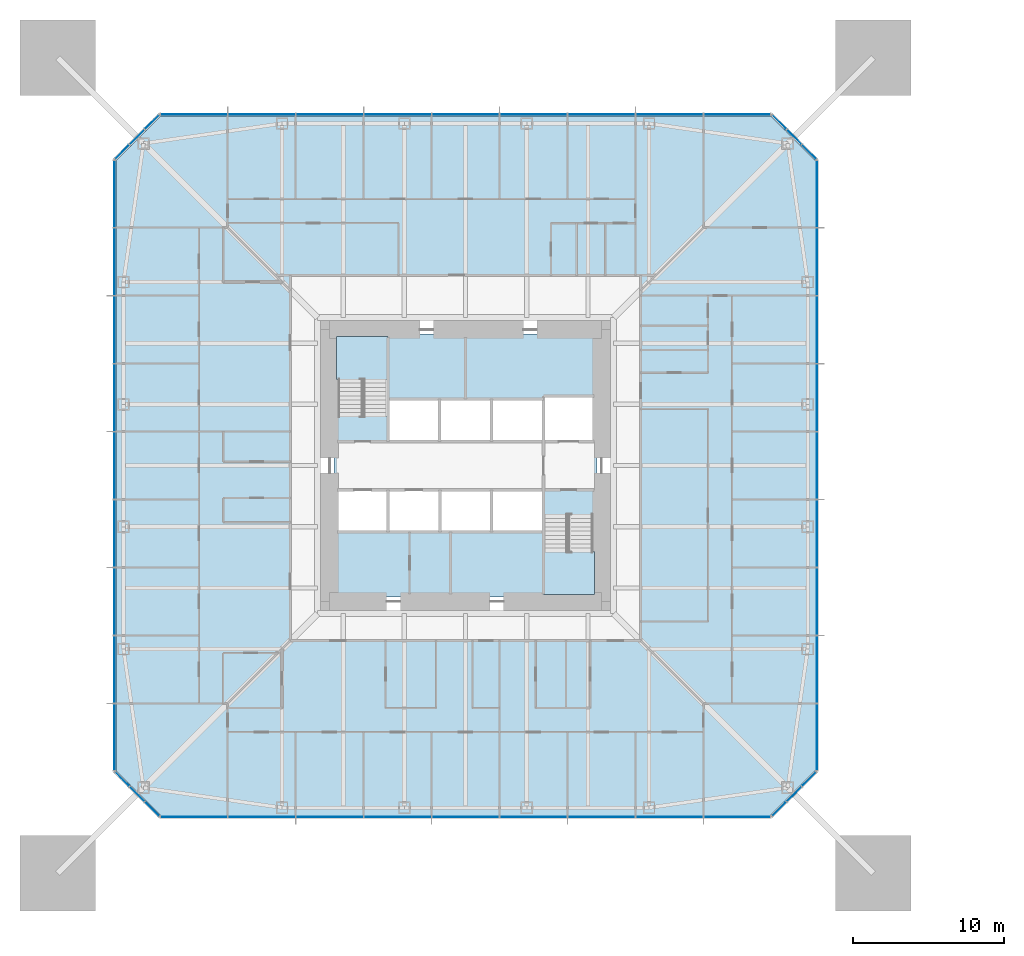
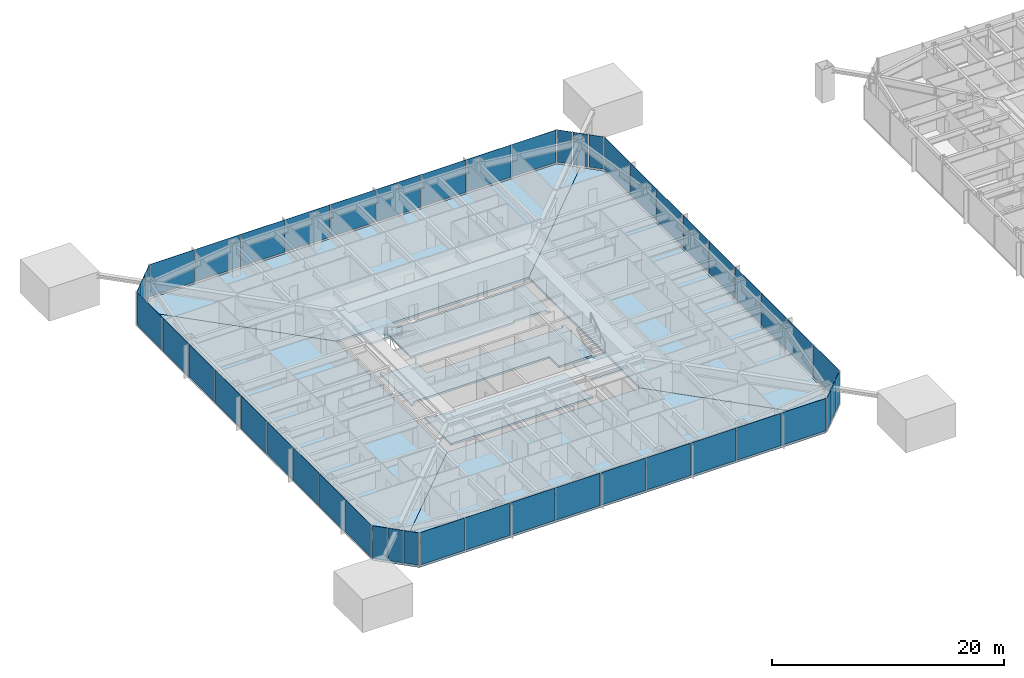
# One storey, part 12 of 26: 48 plates, 9 slabs, 10 elements without a shape of their own.
"""IFC4 building model written with IfcOpenShell, lengths in metres."""

from ifc_helpers import new_model, si_unit, direction, frame, origin, origin_2d, place, context, subcontext, project, spatial, polyline, rectangle, outline, extrude, material, layer, layer_set, constituent, constituent_set, type_object, element, aggregate, save


model = new_model("IFC4")

# Units and contexts
model_context = context("Model", 3, precision=1e-05, world=origin(), true_north=direction((0.0, 1.0)))
body_context = subcontext(model_context, "Body", "Model", "MODEL_VIEW")
ifc_project = project(units=[si_unit("LENGTHUNIT", "METRE"), si_unit("AREAUNIT", "SQUARE_METRE"), si_unit("VOLUMEUNIT", "CUBIC_METRE"), si_unit("PLANEANGLEUNIT", "RADIAN"), si_unit("MASSUNIT", "GRAM", prefix="KILO")], contexts=[model_context])

# Site, building, storey
site_placement = place(None, origin())
site = spatial("IfcSite", under=ifc_project, at=site_placement, CompositionType="ELEMENT")
building_placement = place(site_placement, origin())
building = spatial("IfcBuilding", under=site, at=building_placement, Name="Iwan Alto Co-Living Towers", CompositionType="ELEMENT")
storey_placement = place(building_placement, frame((0.0, 0.0, 60.5)))
storey = spatial("IfcBuildingStorey", under=building, at=storey_placement, Name="L16", CompositionType="ELEMENT", Elevation=60.5)

# Slabs
ifc_material_1 = material(Name="Concrete f'c 30 MPa", Category="concrete")
ifc_layer_1 = layer(ifc_material_1, 0.199951171875)
ifc_layer_set_1 = layer_set([ifc_layer_1], Name="CORE FLOOR SLAB 200")
slab_type_1 = type_object("IfcSlabType", Name="CORE FLOOR SLAB 200", PredefinedType="FLOOR", material=ifc_layer_set_1)
slab_1_placement = place(storey_placement, frame((0.0, 0.0, -0.199951171875)))
element("IfcSlab", 1, at=slab_1_placement, inside=storey, type_object=slab_type_1, Name="T1 core floor L16", PredefinedType="FLOOR", context=body_context, shape_type="SweptSolid", body=[
    extrude(outline(polyline([(8.699951171875, -3.580078125), (8.39990234375, -3.580078125), (8.39990234375, -3.27001953125), (5.14990234375, -3.27001953125), (5.14990234375, -1.60009765625), (1.72509765625, -1.60009765625), (-1.699951171875, -1.60009765625), (-5.125, -1.60009765625), (-8.39990234375, -1.60009765625), (-8.39990234375, -1.909912109375), (-8.699951171875, -1.909912109375), (-8.699951171875, 3.580078125), (-8.39990234375, 3.580078125), (-8.39990234375, 3.27001953125), (-5.14990234375, 3.27001953125), (-5.14990234375, 1.60009765625), (-1.717041015625, 1.60009765625), (1.717041015625, 1.60009765625), (5.14990234375, 1.60009765625), (8.39990234375, 1.60009765625), (8.39990234375, 1.909912109375), (8.699951171875, 1.909912109375), (8.699951171875, -3.580078125)])), origin(), (0.0, 0.0, 1.0), 0.199951171875),
])
slab_2_placement = place(storey_placement, frame((0.0, 0.0, -0.199951171875)))
element("IfcSlab", 2, at=slab_2_placement, inside=storey, type_object=slab_type_1, Name="T1 core floor L16", PredefinedType="FLOOR", context=body_context, shape_type="SweptSolid", body=[
    extrude(outline(polyline([(-1.699951171875, -4.39990234375), (1.72509765625, -4.39990234375), (5.14990234375, -4.39990234375), (5.14990234375, -8.39990234375), (5.4599609375, -8.39990234375), (5.4599609375, -8.699951171875), (-8.699951171875, -8.699951171875), (-8.699951171875, -4.090087890625), (-8.39990234375, -4.090087890625), (-8.39990234375, -4.39990234375), (-5.125, -4.39990234375), (-1.699951171875, -4.39990234375)])), origin(), (0.0, 0.0, 1.0), 0.199951171875),
])
slab_3_placement = place(storey_placement, frame((0.0, 0.0, -0.199951171875)))
element("IfcSlab", 3, at=slab_3_placement, inside=storey, type_object=slab_type_1, Name="T1 core floor L16", PredefinedType="FLOOR", context=body_context, shape_type="SweptSolid", body=[
    extrude(outline(polyline([(1.717041015625, 4.39990234375), (-1.717041015625, 4.39990234375), (-5.14990234375, 4.39990234375), (-5.14990234375, 8.39990234375), (-5.4599609375, 8.39990234375), (-5.4599609375, 8.699951171875), (8.699951171875, 8.699951171875), (8.699951171875, 4.2900390625), (8.39990234375, 4.2900390625), (8.39990234375, 4.60009765625), (5.14990234375, 4.60009765625), (5.14990234375, 4.39990234375), (1.717041015625, 4.39990234375)])), origin(), (0.0, 0.0, 1.0), 0.199951171875),
])

# Curtain wall, plates
ifc_material_2 = material(Name="Bronze aluminium unitised frame", Category="aluminium")
curtain_wall_type_1 = type_object("IfcCurtainWallType", Name="CURTAIN WALL CW-A", PredefinedType="NOTDEFINED", material=ifc_material_2)
curtain_wall_1_placement = place(storey_placement, origin())
curtain_wall_1 = element("IfcCurtainWall", 4, at=curtain_wall_1_placement, inside=storey, type_object=curtain_wall_type_1, Name="T1 curtain wall S L16", PredefinedType="NOTDEFINED")
ifc_material_3 = material(Name="Bronze-tinted insulating glass", Category="glass")
ifc_layer_2 = layer(ifc_material_3, 0.031982421875)
ifc_layer_set_2 = layer_set([ifc_layer_2], Name="CW-A PANEL TINTED IGU 32")
plate_type_1 = type_object("IfcPlateType", Name="CW-A PANEL TINTED IGU 32", PredefinedType="CURTAIN_PANEL", material=ifc_layer_set_2)
plate_1_placement = place(storey_placement, frame((-17.97998046875, -23.25, 0.10009765625), z_axis=(0.0, 0.0, 1.0), x_axis=(1.0, 0.0, 0.0)))
plate_1 = element("IfcPlate", 5, at=plate_1_placement, type_object=plate_type_1, Name="CW-A panel 1.1", PredefinedType="CURTAIN_PANEL", context=body_context, shape_type="SweptSolid", body=[
    extrude(rectangle(XDim=4.3798828125, YDim=0.031982421875, at=origin_2d()), origin(), (0.0, 0.0, 1.0), 3.39990234375),
])
plate_2_placement = place(storey_placement, frame((-13.5, -23.25, 0.10009765625), z_axis=(0.0, 0.0, 1.0), x_axis=(1.0, 0.0, 0.0)))
plate_2 = element("IfcPlate", 6, at=plate_2_placement, type_object=plate_type_1, Name="CW-A panel 2.1", PredefinedType="CURTAIN_PANEL", context=body_context, shape_type="SweptSolid", body=[
    extrude(rectangle(XDim=4.419921875, YDim=0.031982421875, at=origin_2d()), origin(), (0.0, 0.0, 1.0), 3.39990234375),
])
plate_3_placement = place(storey_placement, frame((-9.0, -23.25, 0.10009765625), z_axis=(0.0, 0.0, 1.0), x_axis=(1.0, 0.0, 0.0)))
plate_3 = element("IfcPlate", 7, at=plate_3_placement, type_object=plate_type_1, Name="CW-A panel 3.1", PredefinedType="CURTAIN_PANEL", context=body_context, shape_type="SweptSolid", body=[
    extrude(rectangle(XDim=4.419921875, YDim=0.031982421875, at=origin_2d()), origin(), (0.0, 0.0, 1.0), 3.39990234375),
])
plate_4_placement = place(storey_placement, frame((-4.5, -23.25, 0.10009765625), z_axis=(0.0, 0.0, 1.0), x_axis=(1.0, 0.0, 0.0)))
plate_4 = element("IfcPlate", 8, at=plate_4_placement, type_object=plate_type_1, Name="CW-A panel 4.1", PredefinedType="CURTAIN_PANEL", context=body_context, shape_type="SweptSolid", body=[
    extrude(rectangle(XDim=4.419921875, YDim=0.031982421875, at=origin_2d()), origin(), (0.0, 0.0, 1.0), 3.39990234375),
])
plate_5_placement = place(storey_placement, frame((0.0, -23.25, 0.10009765625), z_axis=(0.0, 0.0, 1.0), x_axis=(1.0, 0.0, 0.0)))
plate_5 = element("IfcPlate", 9, at=plate_5_placement, type_object=plate_type_1, Name="CW-A panel 5.1", PredefinedType="CURTAIN_PANEL", context=body_context, shape_type="SweptSolid", body=[
    extrude(rectangle(XDim=4.419921875, YDim=0.031982421875, at=origin_2d()), origin(), (0.0, 0.0, 1.0), 3.39990234375),
])
plate_6_placement = place(storey_placement, frame((4.5, -23.25, 0.10009765625), z_axis=(0.0, 0.0, 1.0), x_axis=(1.0, 0.0, 0.0)))
plate_6 = element("IfcPlate", 10, at=plate_6_placement, type_object=plate_type_1, Name="CW-A panel 6.1", PredefinedType="CURTAIN_PANEL", context=body_context, shape_type="SweptSolid", body=[
    extrude(rectangle(XDim=4.419921875, YDim=0.031982421875, at=origin_2d()), origin(), (0.0, 0.0, 1.0), 3.39990234375),
])
plate_7_placement = place(storey_placement, frame((9.0, -23.25, 0.10009765625), z_axis=(0.0, 0.0, 1.0), x_axis=(1.0, 0.0, 0.0)))
plate_7 = element("IfcPlate", 11, at=plate_7_placement, type_object=plate_type_1, Name="CW-A panel 7.1", PredefinedType="CURTAIN_PANEL", context=body_context, shape_type="SweptSolid", body=[
    extrude(rectangle(XDim=4.419921875, YDim=0.031982421875, at=origin_2d()), origin(), (0.0, 0.0, 1.0), 3.39990234375),
])
plate_8_placement = place(storey_placement, frame((13.5, -23.25, 0.10009765625), z_axis=(0.0, 0.0, 1.0), x_axis=(1.0, 0.0, 0.0)))
plate_8 = element("IfcPlate", 12, at=plate_8_placement, type_object=plate_type_1, Name="CW-A panel 8.1", PredefinedType="CURTAIN_PANEL", context=body_context, shape_type="SweptSolid", body=[
    extrude(rectangle(XDim=4.419921875, YDim=0.031982421875, at=origin_2d()), origin(), (0.0, 0.0, 1.0), 3.39990234375),
])
plate_9_placement = place(storey_placement, frame((17.97998046875, -23.25, 0.10009765625), z_axis=(0.0, 0.0, 1.0), x_axis=(1.0, 0.0, 0.0)))
plate_9 = element("IfcPlate", 13, at=plate_9_placement, type_object=plate_type_1, Name="CW-A panel 9.1", PredefinedType="CURTAIN_PANEL", context=body_context, shape_type="SweptSolid", body=[
    extrude(rectangle(XDim=4.3798828125, YDim=0.031982421875, at=origin_2d()), origin(), (0.0, 0.0, 1.0), 3.39990234375),
])
aggregate(curtain_wall_1, [plate_1, plate_2, plate_3, plate_4, plate_5, plate_6, plate_7, plate_8, plate_9])

curtain_wall_2_placement = place(storey_placement, origin())
curtain_wall_2 = element("IfcCurtainWall", 14, at=curtain_wall_2_placement, inside=storey, type_object=curtain_wall_type_1, Name="T1 curtain wall E L16", PredefinedType="NOTDEFINED")
plate_10_placement = place(storey_placement, frame((23.25, -17.97998046875, 0.10009765625), z_axis=(0.0, 0.0, 1.0), x_axis=(0.0, 1.0, 0.0)))
plate_10 = element("IfcPlate", 15, at=plate_10_placement, type_object=plate_type_1, Name="CW-A panel 1.1", PredefinedType="CURTAIN_PANEL", context=body_context, shape_type="SweptSolid", body=[
    extrude(rectangle(XDim=4.3798828125, YDim=0.031982421875, at=origin_2d()), origin(), (0.0, 0.0, 1.0), 3.39990234375),
])
plate_11_placement = place(storey_placement, frame((23.25, -13.5, 0.10009765625), z_axis=(0.0, 0.0, 1.0), x_axis=(0.0, 1.0, 0.0)))
plate_11 = element("IfcPlate", 16, at=plate_11_placement, type_object=plate_type_1, Name="CW-A panel 2.1", PredefinedType="CURTAIN_PANEL", context=body_context, shape_type="SweptSolid", body=[
    extrude(rectangle(XDim=4.419921875, YDim=0.031982421875, at=origin_2d()), origin(), (0.0, 0.0, 1.0), 3.39990234375),
])
plate_12_placement = place(storey_placement, frame((23.25, -9.0, 0.10009765625), z_axis=(0.0, 0.0, 1.0), x_axis=(0.0, 1.0, 0.0)))
plate_12 = element("IfcPlate", 17, at=plate_12_placement, type_object=plate_type_1, Name="CW-A panel 3.1", PredefinedType="CURTAIN_PANEL", context=body_context, shape_type="SweptSolid", body=[
    extrude(rectangle(XDim=4.419921875, YDim=0.031982421875, at=origin_2d()), origin(), (0.0, 0.0, 1.0), 3.39990234375),
])
plate_13_placement = place(storey_placement, frame((23.25, -4.5, 0.10009765625), z_axis=(0.0, 0.0, 1.0), x_axis=(0.0, 1.0, 0.0)))
plate_13 = element("IfcPlate", 18, at=plate_13_placement, type_object=plate_type_1, Name="CW-A panel 4.1", PredefinedType="CURTAIN_PANEL", context=body_context, shape_type="SweptSolid", body=[
    extrude(rectangle(XDim=4.419921875, YDim=0.031982421875, at=origin_2d()), origin(), (0.0, 0.0, 1.0), 3.39990234375),
])
plate_14_placement = place(storey_placement, frame((23.25, 0.0, 0.10009765625), z_axis=(0.0, 0.0, 1.0), x_axis=(0.0, 1.0, 0.0)))
plate_14 = element("IfcPlate", 19, at=plate_14_placement, type_object=plate_type_1, Name="CW-A panel 5.1", PredefinedType="CURTAIN_PANEL", context=body_context, shape_type="SweptSolid", body=[
    extrude(rectangle(XDim=4.419921875, YDim=0.031982421875, at=origin_2d()), origin(), (0.0, 0.0, 1.0), 3.39990234375),
])
plate_15_placement = place(storey_placement, frame((23.25, 4.5, 0.10009765625), z_axis=(0.0, 0.0, 1.0), x_axis=(0.0, 1.0, 0.0)))
plate_15 = element("IfcPlate", 20, at=plate_15_placement, type_object=plate_type_1, Name="CW-A panel 6.1", PredefinedType="CURTAIN_PANEL", context=body_context, shape_type="SweptSolid", body=[
    extrude(rectangle(XDim=4.419921875, YDim=0.031982421875, at=origin_2d()), origin(), (0.0, 0.0, 1.0), 3.39990234375),
])
plate_16_placement = place(storey_placement, frame((23.25, 9.0, 0.10009765625), z_axis=(0.0, 0.0, 1.0), x_axis=(0.0, 1.0, 0.0)))
plate_16 = element("IfcPlate", 21, at=plate_16_placement, type_object=plate_type_1, Name="CW-A panel 7.1", PredefinedType="CURTAIN_PANEL", context=body_context, shape_type="SweptSolid", body=[
    extrude(rectangle(XDim=4.419921875, YDim=0.031982421875, at=origin_2d()), origin(), (0.0, 0.0, 1.0), 3.39990234375),
])
plate_17_placement = place(storey_placement, frame((23.25, 13.5, 0.10009765625), z_axis=(0.0, 0.0, 1.0), x_axis=(0.0, 1.0, 0.0)))
plate_17 = element("IfcPlate", 22, at=plate_17_placement, type_object=plate_type_1, Name="CW-A panel 8.1", PredefinedType="CURTAIN_PANEL", context=body_context, shape_type="SweptSolid", body=[
    extrude(rectangle(XDim=4.419921875, YDim=0.031982421875, at=origin_2d()), origin(), (0.0, 0.0, 1.0), 3.39990234375),
])
plate_18_placement = place(storey_placement, frame((23.25, 17.97998046875, 0.10009765625), z_axis=(0.0, 0.0, 1.0), x_axis=(0.0, 1.0, 0.0)))
plate_18 = element("IfcPlate", 23, at=plate_18_placement, type_object=plate_type_1, Name="CW-A panel 9.1", PredefinedType="CURTAIN_PANEL", context=body_context, shape_type="SweptSolid", body=[
    extrude(rectangle(XDim=4.3798828125, YDim=0.031982421875, at=origin_2d()), origin(), (0.0, 0.0, 1.0), 3.39990234375),
])
aggregate(curtain_wall_2, [plate_10, plate_11, plate_12, plate_13, plate_14, plate_15, plate_16, plate_17, plate_18])

curtain_wall_3_placement = place(storey_placement, origin())
curtain_wall_3 = element("IfcCurtainWall", 24, at=curtain_wall_3_placement, inside=storey, type_object=curtain_wall_type_1, Name="T1 curtain wall N L16", PredefinedType="NOTDEFINED")
plate_19_placement = place(storey_placement, frame((17.97998046875, 23.25, 0.10009765625), z_axis=(0.0, 0.0, 1.0), x_axis=(-1.0, 0.0, 0.0)))
plate_19 = element("IfcPlate", 25, at=plate_19_placement, type_object=plate_type_1, Name="CW-A panel 1.1", PredefinedType="CURTAIN_PANEL", context=body_context, shape_type="SweptSolid", body=[
    extrude(rectangle(XDim=4.3798828125, YDim=0.031982421875, at=origin_2d()), origin(), (0.0, 0.0, 1.0), 3.39990234375),
])
plate_20_placement = place(storey_placement, frame((13.5, 23.25, 0.10009765625), z_axis=(0.0, 0.0, 1.0), x_axis=(-1.0, 0.0, 0.0)))
plate_20 = element("IfcPlate", 26, at=plate_20_placement, type_object=plate_type_1, Name="CW-A panel 2.1", PredefinedType="CURTAIN_PANEL", context=body_context, shape_type="SweptSolid", body=[
    extrude(rectangle(XDim=4.419921875, YDim=0.031982421875, at=origin_2d()), origin(), (0.0, 0.0, 1.0), 3.39990234375),
])
plate_21_placement = place(storey_placement, frame((9.0, 23.25, 0.10009765625), z_axis=(0.0, 0.0, 1.0), x_axis=(-1.0, 0.0, 0.0)))
plate_21 = element("IfcPlate", 27, at=plate_21_placement, type_object=plate_type_1, Name="CW-A panel 3.1", PredefinedType="CURTAIN_PANEL", context=body_context, shape_type="SweptSolid", body=[
    extrude(rectangle(XDim=4.419921875, YDim=0.031982421875, at=origin_2d()), origin(), (0.0, 0.0, 1.0), 3.39990234375),
])
plate_22_placement = place(storey_placement, frame((4.5, 23.25, 0.10009765625), z_axis=(0.0, 0.0, 1.0), x_axis=(-1.0, 0.0, 0.0)))
plate_22 = element("IfcPlate", 28, at=plate_22_placement, type_object=plate_type_1, Name="CW-A panel 4.1", PredefinedType="CURTAIN_PANEL", context=body_context, shape_type="SweptSolid", body=[
    extrude(rectangle(XDim=4.419921875, YDim=0.031982421875, at=origin_2d()), origin(), (0.0, 0.0, 1.0), 3.39990234375),
])
plate_23_placement = place(storey_placement, frame((0.0, 23.25, 0.10009765625), z_axis=(0.0, 0.0, 1.0), x_axis=(-1.0, 0.0, 0.0)))
plate_23 = element("IfcPlate", 29, at=plate_23_placement, type_object=plate_type_1, Name="CW-A panel 5.1", PredefinedType="CURTAIN_PANEL", context=body_context, shape_type="SweptSolid", body=[
    extrude(rectangle(XDim=4.419921875, YDim=0.031982421875, at=origin_2d()), origin(), (0.0, 0.0, 1.0), 3.39990234375),
])
plate_24_placement = place(storey_placement, frame((-4.5, 23.25, 0.10009765625), z_axis=(0.0, 0.0, 1.0), x_axis=(-1.0, 0.0, 0.0)))
plate_24 = element("IfcPlate", 30, at=plate_24_placement, type_object=plate_type_1, Name="CW-A panel 6.1", PredefinedType="CURTAIN_PANEL", context=body_context, shape_type="SweptSolid", body=[
    extrude(rectangle(XDim=4.419921875, YDim=0.031982421875, at=origin_2d()), origin(), (0.0, 0.0, 1.0), 3.39990234375),
])
plate_25_placement = place(storey_placement, frame((-9.0, 23.25, 0.10009765625), z_axis=(0.0, 0.0, 1.0), x_axis=(-1.0, 0.0, 0.0)))
plate_25 = element("IfcPlate", 31, at=plate_25_placement, type_object=plate_type_1, Name="CW-A panel 7.1", PredefinedType="CURTAIN_PANEL", context=body_context, shape_type="SweptSolid", body=[
    extrude(rectangle(XDim=4.419921875, YDim=0.031982421875, at=origin_2d()), origin(), (0.0, 0.0, 1.0), 3.39990234375),
])
plate_26_placement = place(storey_placement, frame((-13.5, 23.25, 0.10009765625), z_axis=(0.0, 0.0, 1.0), x_axis=(-1.0, 0.0, 0.0)))
plate_26 = element("IfcPlate", 32, at=plate_26_placement, type_object=plate_type_1, Name="CW-A panel 8.1", PredefinedType="CURTAIN_PANEL", context=body_context, shape_type="SweptSolid", body=[
    extrude(rectangle(XDim=4.419921875, YDim=0.031982421875, at=origin_2d()), origin(), (0.0, 0.0, 1.0), 3.39990234375),
])
plate_27_placement = place(storey_placement, frame((-17.97998046875, 23.25, 0.10009765625), z_axis=(0.0, 0.0, 1.0), x_axis=(-1.0, 0.0, 0.0)))
plate_27 = element("IfcPlate", 33, at=plate_27_placement, type_object=plate_type_1, Name="CW-A panel 9.1", PredefinedType="CURTAIN_PANEL", context=body_context, shape_type="SweptSolid", body=[
    extrude(rectangle(XDim=4.3798828125, YDim=0.031982421875, at=origin_2d()), origin(), (0.0, 0.0, 1.0), 3.39990234375),
])
aggregate(curtain_wall_3, [plate_19, plate_20, plate_21, plate_22, plate_23, plate_24, plate_25, plate_26, plate_27])

curtain_wall_4_placement = place(storey_placement, origin())
curtain_wall_4 = element("IfcCurtainWall", 34, at=curtain_wall_4_placement, inside=storey, type_object=curtain_wall_type_1, Name="T1 curtain wall W L16", PredefinedType="NOTDEFINED")
plate_28_placement = place(storey_placement, frame((-23.25, 17.97998046875, 0.10009765625), z_axis=(0.0, 0.0, 1.0), x_axis=(0.0, -1.0, 0.0)))
plate_28 = element("IfcPlate", 35, at=plate_28_placement, type_object=plate_type_1, Name="CW-A panel 1.1", PredefinedType="CURTAIN_PANEL", context=body_context, shape_type="SweptSolid", body=[
    extrude(rectangle(XDim=4.3798828125, YDim=0.031982421875, at=origin_2d()), origin(), (0.0, 0.0, 1.0), 3.39990234375),
])
plate_29_placement = place(storey_placement, frame((-23.25, 13.5, 0.10009765625), z_axis=(0.0, 0.0, 1.0), x_axis=(0.0, -1.0, 0.0)))
plate_29 = element("IfcPlate", 36, at=plate_29_placement, type_object=plate_type_1, Name="CW-A panel 2.1", PredefinedType="CURTAIN_PANEL", context=body_context, shape_type="SweptSolid", body=[
    extrude(rectangle(XDim=4.419921875, YDim=0.031982421875, at=origin_2d()), origin(), (0.0, 0.0, 1.0), 3.39990234375),
])
plate_30_placement = place(storey_placement, frame((-23.25, 9.0, 0.10009765625), z_axis=(0.0, 0.0, 1.0), x_axis=(0.0, -1.0, 0.0)))
plate_30 = element("IfcPlate", 37, at=plate_30_placement, type_object=plate_type_1, Name="CW-A panel 3.1", PredefinedType="CURTAIN_PANEL", context=body_context, shape_type="SweptSolid", body=[
    extrude(rectangle(XDim=4.419921875, YDim=0.031982421875, at=origin_2d()), origin(), (0.0, 0.0, 1.0), 3.39990234375),
])
plate_31_placement = place(storey_placement, frame((-23.25, 4.5, 0.10009765625), z_axis=(0.0, 0.0, 1.0), x_axis=(0.0, -1.0, 0.0)))
plate_31 = element("IfcPlate", 38, at=plate_31_placement, type_object=plate_type_1, Name="CW-A panel 4.1", PredefinedType="CURTAIN_PANEL", context=body_context, shape_type="SweptSolid", body=[
    extrude(rectangle(XDim=4.419921875, YDim=0.031982421875, at=origin_2d()), origin(), (0.0, 0.0, 1.0), 3.39990234375),
])
plate_32_placement = place(storey_placement, frame((-23.25, 0.0, 0.10009765625), z_axis=(0.0, 0.0, 1.0), x_axis=(0.0, -1.0, 0.0)))
plate_32 = element("IfcPlate", 39, at=plate_32_placement, type_object=plate_type_1, Name="CW-A panel 5.1", PredefinedType="CURTAIN_PANEL", context=body_context, shape_type="SweptSolid", body=[
    extrude(rectangle(XDim=4.419921875, YDim=0.031982421875, at=origin_2d()), origin(), (0.0, 0.0, 1.0), 3.39990234375),
])
plate_33_placement = place(storey_placement, frame((-23.25, -4.5, 0.10009765625), z_axis=(0.0, 0.0, 1.0), x_axis=(0.0, -1.0, 0.0)))
plate_33 = element("IfcPlate", 40, at=plate_33_placement, type_object=plate_type_1, Name="CW-A panel 6.1", PredefinedType="CURTAIN_PANEL", context=body_context, shape_type="SweptSolid", body=[
    extrude(rectangle(XDim=4.419921875, YDim=0.031982421875, at=origin_2d()), origin(), (0.0, 0.0, 1.0), 3.39990234375),
])
plate_34_placement = place(storey_placement, frame((-23.25, -9.0, 0.10009765625), z_axis=(0.0, 0.0, 1.0), x_axis=(0.0, -1.0, 0.0)))
plate_34 = element("IfcPlate", 41, at=plate_34_placement, type_object=plate_type_1, Name="CW-A panel 7.1", PredefinedType="CURTAIN_PANEL", context=body_context, shape_type="SweptSolid", body=[
    extrude(rectangle(XDim=4.419921875, YDim=0.031982421875, at=origin_2d()), origin(), (0.0, 0.0, 1.0), 3.39990234375),
])
plate_35_placement = place(storey_placement, frame((-23.25, -13.5, 0.10009765625), z_axis=(0.0, 0.0, 1.0), x_axis=(0.0, -1.0, 0.0)))
plate_35 = element("IfcPlate", 42, at=plate_35_placement, type_object=plate_type_1, Name="CW-A panel 8.1", PredefinedType="CURTAIN_PANEL", context=body_context, shape_type="SweptSolid", body=[
    extrude(rectangle(XDim=4.419921875, YDim=0.031982421875, at=origin_2d()), origin(), (0.0, 0.0, 1.0), 3.39990234375),
])
plate_36_placement = place(storey_placement, frame((-23.25, -17.97998046875, 0.10009765625), z_axis=(0.0, 0.0, 1.0), x_axis=(0.0, -1.0, 0.0)))
plate_36 = element("IfcPlate", 43, at=plate_36_placement, type_object=plate_type_1, Name="CW-A panel 9.1", PredefinedType="CURTAIN_PANEL", context=body_context, shape_type="SweptSolid", body=[
    extrude(rectangle(XDim=4.3798828125, YDim=0.031982421875, at=origin_2d()), origin(), (0.0, 0.0, 1.0), 3.39990234375),
])
aggregate(curtain_wall_4, [plate_28, plate_29, plate_30, plate_31, plate_32, plate_33, plate_34, plate_35, plate_36])

ifc_material_4 = material(Name="Bronze aluminium unitised frame", Category="aluminium")
curtain_wall_type_2 = type_object("IfcCurtainWallType", Name="CURTAIN WALL CW-B", PredefinedType="NOTDEFINED", material=ifc_material_4)
curtain_wall_5_placement = place(storey_placement, origin())
curtain_wall_5 = element("IfcCurtainWall", 44, at=curtain_wall_5_placement, inside=storey, type_object=curtain_wall_type_2, Name="T1 chamfer curtain wall SE L16", PredefinedType="NOTDEFINED")
ifc_material_5 = material(Name="Bronze-tinted insulating glass", Category="glass")
ifc_layer_3 = layer(ifc_material_5, 0.031982421875)
ifc_layer_set_3 = layer_set([ifc_layer_3], Name="CW-B PANEL TINTED IGU 32")
plate_type_2 = type_object("IfcPlateType", Name="CW-B PANEL TINTED IGU 32", PredefinedType="CURTAIN_PANEL", material=ifc_layer_set_3)
plate_37_placement = place(storey_placement, frame((20.76416015625, -22.73583984375, 0.10009765625), z_axis=(0.0, 0.0, 1.0), x_axis=(0.707106781187, 0.707106781187, 0.0)))
plate_37 = element("IfcPlate", 45, at=plate_37_placement, type_object=plate_type_2, Name="CW-B panel 1.1", PredefinedType="CURTAIN_PANEL", context=body_context, shape_type="SweptSolid", body=[
    extrude(rectangle(XDim=1.294189453125, YDim=0.031982421875, at=origin_2d()), origin(), (0.0, 0.0, 1.0), 3.39990234375),
])
plate_38_placement = place(storey_placement, frame((21.75, -21.75, 0.10009765625), z_axis=(0.0, 0.0, 1.0), x_axis=(0.707106781187, 0.707106781187, 0.0)))
plate_38 = element("IfcPlate", 46, at=plate_38_placement, type_object=plate_type_2, Name="CW-B panel 2.1", PredefinedType="CURTAIN_PANEL", context=body_context, shape_type="SweptSolid", body=[
    extrude(rectangle(XDim=1.334228515625, YDim=0.031982421875, at=origin_2d()), origin(), (0.0, 0.0, 1.0), 3.39990234375),
])
plate_39_placement = place(storey_placement, frame((22.73583984375, -20.76416015625, 0.10009765625), z_axis=(0.0, 0.0, 1.0), x_axis=(0.707106781187, 0.707106781187, 0.0)))
plate_39 = element("IfcPlate", 47, at=plate_39_placement, type_object=plate_type_2, Name="CW-B panel 3.1", PredefinedType="CURTAIN_PANEL", context=body_context, shape_type="SweptSolid", body=[
    extrude(rectangle(XDim=1.294189453125, YDim=0.031982421875, at=origin_2d()), origin(), (0.0, 0.0, 1.0), 3.39990234375),
])
aggregate(curtain_wall_5, [plate_37, plate_38, plate_39])

curtain_wall_6_placement = place(storey_placement, origin())
curtain_wall_6 = element("IfcCurtainWall", 48, at=curtain_wall_6_placement, inside=storey, type_object=curtain_wall_type_2, Name="T1 chamfer curtain wall NE L16", PredefinedType="NOTDEFINED")
plate_40_placement = place(storey_placement, frame((22.73583984375, 20.76416015625, 0.10009765625), z_axis=(0.0, 0.0, 1.0), x_axis=(-0.707106781187, 0.707106781187, 0.0)))
plate_40 = element("IfcPlate", 49, at=plate_40_placement, type_object=plate_type_2, Name="CW-B panel 1.1", PredefinedType="CURTAIN_PANEL", context=body_context, shape_type="SweptSolid", body=[
    extrude(rectangle(XDim=1.294189453125, YDim=0.031982421875, at=origin_2d()), origin(), (0.0, 0.0, 1.0), 3.39990234375),
])
plate_41_placement = place(storey_placement, frame((21.75, 21.75, 0.10009765625), z_axis=(0.0, 0.0, 1.0), x_axis=(-0.707106781187, 0.707106781187, 0.0)))
plate_41 = element("IfcPlate", 50, at=plate_41_placement, type_object=plate_type_2, Name="CW-B panel 2.1", PredefinedType="CURTAIN_PANEL", context=body_context, shape_type="SweptSolid", body=[
    extrude(rectangle(XDim=1.334228515625, YDim=0.031982421875, at=origin_2d()), origin(), (0.0, 0.0, 1.0), 3.39990234375),
])
plate_42_placement = place(storey_placement, frame((20.76416015625, 22.73583984375, 0.10009765625), z_axis=(0.0, 0.0, 1.0), x_axis=(-0.707106781187, 0.707106781187, 0.0)))
plate_42 = element("IfcPlate", 51, at=plate_42_placement, type_object=plate_type_2, Name="CW-B panel 3.1", PredefinedType="CURTAIN_PANEL", context=body_context, shape_type="SweptSolid", body=[
    extrude(rectangle(XDim=1.294189453125, YDim=0.031982421875, at=origin_2d()), origin(), (0.0, 0.0, 1.0), 3.39990234375),
])
aggregate(curtain_wall_6, [plate_40, plate_41, plate_42])

curtain_wall_7_placement = place(storey_placement, origin())
curtain_wall_7 = element("IfcCurtainWall", 52, at=curtain_wall_7_placement, inside=storey, type_object=curtain_wall_type_2, Name="T1 chamfer curtain wall NW L16", PredefinedType="NOTDEFINED")
plate_43_placement = place(storey_placement, frame((-20.76416015625, 22.73583984375, 0.10009765625), z_axis=(0.0, 0.0, 1.0), x_axis=(-0.707106781187, -0.707106781187, 0.0)))
plate_43 = element("IfcPlate", 53, at=plate_43_placement, type_object=plate_type_2, Name="CW-B panel 1.1", PredefinedType="CURTAIN_PANEL", context=body_context, shape_type="SweptSolid", body=[
    extrude(rectangle(XDim=1.294189453125, YDim=0.031982421875, at=origin_2d()), origin(), (0.0, 0.0, 1.0), 3.39990234375),
])
plate_44_placement = place(storey_placement, frame((-21.75, 21.75, 0.10009765625), z_axis=(0.0, 0.0, 1.0), x_axis=(-0.707106781187, -0.707106781187, 0.0)))
plate_44 = element("IfcPlate", 54, at=plate_44_placement, type_object=plate_type_2, Name="CW-B panel 2.1", PredefinedType="CURTAIN_PANEL", context=body_context, shape_type="SweptSolid", body=[
    extrude(rectangle(XDim=1.334228515625, YDim=0.031982421875, at=origin_2d()), origin(), (0.0, 0.0, 1.0), 3.39990234375),
])
plate_45_placement = place(storey_placement, frame((-22.73583984375, 20.76416015625, 0.10009765625), z_axis=(0.0, 0.0, 1.0), x_axis=(-0.707106781187, -0.707106781187, 0.0)))
plate_45 = element("IfcPlate", 55, at=plate_45_placement, type_object=plate_type_2, Name="CW-B panel 3.1", PredefinedType="CURTAIN_PANEL", context=body_context, shape_type="SweptSolid", body=[
    extrude(rectangle(XDim=1.294189453125, YDim=0.031982421875, at=origin_2d()), origin(), (0.0, 0.0, 1.0), 3.39990234375),
])
aggregate(curtain_wall_7, [plate_43, plate_44, plate_45])

curtain_wall_8_placement = place(storey_placement, origin())
curtain_wall_8 = element("IfcCurtainWall", 56, at=curtain_wall_8_placement, inside=storey, type_object=curtain_wall_type_2, Name="T1 chamfer curtain wall SW L16", PredefinedType="NOTDEFINED")
plate_46_placement = place(storey_placement, frame((-22.73583984375, -20.76416015625, 0.10009765625), z_axis=(0.0, 0.0, 1.0), x_axis=(0.707106781187, -0.707106781187, 0.0)))
plate_46 = element("IfcPlate", 57, at=plate_46_placement, type_object=plate_type_2, Name="CW-B panel 1.1", PredefinedType="CURTAIN_PANEL", context=body_context, shape_type="SweptSolid", body=[
    extrude(rectangle(XDim=1.294189453125, YDim=0.031982421875, at=origin_2d()), origin(), (0.0, 0.0, 1.0), 3.39990234375),
])
plate_47_placement = place(storey_placement, frame((-21.75, -21.75, 0.10009765625), z_axis=(0.0, 0.0, 1.0), x_axis=(0.707106781187, -0.707106781187, 0.0)))
plate_47 = element("IfcPlate", 58, at=plate_47_placement, type_object=plate_type_2, Name="CW-B panel 2.1", PredefinedType="CURTAIN_PANEL", context=body_context, shape_type="SweptSolid", body=[
    extrude(rectangle(XDim=1.334228515625, YDim=0.031982421875, at=origin_2d()), origin(), (0.0, 0.0, 1.0), 3.39990234375),
])
plate_48_placement = place(storey_placement, frame((-20.76416015625, -22.73583984375, 0.10009765625), z_axis=(0.0, 0.0, 1.0), x_axis=(0.707106781187, -0.707106781187, 0.0)))
plate_48 = element("IfcPlate", 59, at=plate_48_placement, type_object=plate_type_2, Name="CW-B panel 3.1", PredefinedType="CURTAIN_PANEL", context=body_context, shape_type="SweptSolid", body=[
    extrude(rectangle(XDim=1.294189453125, YDim=0.031982421875, at=origin_2d()), origin(), (0.0, 0.0, 1.0), 3.39990234375),
])
aggregate(curtain_wall_8, [plate_46, plate_47, plate_48])

# Stair, slab
ifc_material_6 = material(Name="Steel ASTM A36", Category="steel")
ifc_constituent_1 = constituent(ifc_material_6, Name="Stringers", Category="LoadBearing")
ifc_material_7 = material(Name="Concrete f'c 30 MPa", Category="concrete")
ifc_constituent_2 = constituent(ifc_material_7, Name="Tread fill", Category="Finish")
ifc_constituent_set = constituent_set(constituents=[ifc_constituent_1, ifc_constituent_2], Name="STAIR 3500 TWO-FLIGHT T1 CORE")
stair_type = type_object("IfcStairType", Name="STAIR 3500 TWO-FLIGHT T1 CORE", PredefinedType="HALF_TURN_STAIR", material=ifc_constituent_set)
stair_1_placement = place(storey_placement, origin())
stair_1 = element("IfcStair", 60, at=stair_1_placement, inside=storey, type_object=stair_type, Name="Stair T1-S1 L16 to L17", PredefinedType="HALF_TURN_STAIR")
ifc_material_8 = material(Name="Concrete f'c 30 MPa", Category="concrete")
ifc_layer_4 = layer(ifc_material_8, 0.199951171875)
ifc_layer_set_4 = layer_set([ifc_layer_4], Name="STAIR LANDING 200")
slab_type_2 = type_object("IfcSlabType", Name="STAIR LANDING 200", PredefinedType="LANDING", material=ifc_layer_set_4)
slab_4_placement = place(storey_placement, frame((0.0, 0.0, 1.550048828125)))
slab_4 = element("IfcSlab", 61, at=slab_4_placement, type_object=slab_type_2, Name="T1-S1 landing 1", PredefinedType="LANDING", context=body_context, shape_type="SweptSolid", body=[
    extrude(outline(polyline([(-8.550048828125, 5.68994140625), (-8.550048828125, 8.550048828125), (-5.14990234375, 8.550048828125), (-5.14990234375, 5.68994140625), (-8.550048828125, 5.68994140625)])), origin(), (0.0, 0.0, 1.0), 0.199951171875),
])
aggregate(stair_1, [slab_4])

stair_2_placement = place(storey_placement, origin())
stair_2 = element("IfcStair", 62, at=stair_2_placement, inside=storey, type_object=stair_type, Name="Stair T1-S2 L16 to L17", PredefinedType="HALF_TURN_STAIR")
slab_5_placement = place(storey_placement, frame((0.0, 0.0, 1.550048828125)))
slab_5 = element("IfcSlab", 63, at=slab_5_placement, type_object=slab_type_2, Name="T1-S2 landing 1", PredefinedType="LANDING", context=body_context, shape_type="SweptSolid", body=[
    extrude(outline(polyline([(5.14990234375, -5.68994140625), (5.14990234375, -8.550048828125), (8.550048828125, -8.550048828125), (8.550048828125, -5.68994140625), (5.14990234375, -5.68994140625)])), origin(), (0.0, 0.0, 1.0), 0.199951171875),
])
aggregate(stair_2, [slab_5])

# Slabs
ifc_material_9 = material(Name="Concrete f'c 30 MPa", Category="concrete")
ifc_layer_5 = layer(ifc_material_9, 0.22998046875)
ifc_layer_set_5 = layer_set([ifc_layer_5], Name="T1 FLOOR SLAB 230")
slab_type_3 = type_object("IfcSlabType", Name="T1 FLOOR SLAB 230", PredefinedType="FLOOR", material=ifc_layer_set_5)
slab_6_placement = place(storey_placement, frame((0.0, 0.0, -0.22998046875)))
element("IfcSlab", 64, at=slab_6_placement, inside=storey, type_object=slab_type_3, Name="T1 floor slab L16 S pour", PredefinedType="FLOOR", context=body_context, shape_type="SweptSolid", body=[
    extrude(outline(polyline([(20.19140625, -23.14990234375), (-20.19140625, -23.14990234375), (-21.670654296875, -21.670654296875), (-9.60009765625, -9.60009765625), (9.60009765625, -9.60009765625), (21.670654296875, -21.670654296875), (20.19140625, -23.14990234375)])), origin(), (0.0, 0.0, 1.0), 0.22998046875),
])
slab_7_placement = place(storey_placement, frame((0.0, 0.0, -0.22998046875)))
element("IfcSlab", 65, at=slab_7_placement, inside=storey, type_object=slab_type_3, Name="T1 floor slab L16 E pour", PredefinedType="FLOOR", context=body_context, shape_type="SweptSolid", body=[
    extrude(outline(polyline([(23.14990234375, 20.19140625), (23.14990234375, -20.19140625), (21.670654296875, -21.670654296875), (9.60009765625, -9.60009765625), (9.60009765625, 9.60009765625), (21.670654296875, 21.670654296875), (23.14990234375, 20.19140625)])), origin(), (0.0, 0.0, 1.0), 0.22998046875),
])
slab_8_placement = place(storey_placement, frame((0.0, 0.0, -0.22998046875)))
element("IfcSlab", 66, at=slab_8_placement, inside=storey, type_object=slab_type_3, Name="T1 floor slab L16 N pour", PredefinedType="FLOOR", context=body_context, shape_type="SweptSolid", body=[
    extrude(outline(polyline([(-20.19140625, 23.14990234375), (20.19140625, 23.14990234375), (21.670654296875, 21.670654296875), (9.60009765625, 9.60009765625), (-9.60009765625, 9.60009765625), (-21.670654296875, 21.670654296875), (-20.19140625, 23.14990234375)])), origin(), (0.0, 0.0, 1.0), 0.22998046875),
])
slab_9_placement = place(storey_placement, frame((0.0, 0.0, -0.22998046875)))
element("IfcSlab", 67, at=slab_9_placement, inside=storey, type_object=slab_type_3, Name="T1 floor slab L16 W pour", PredefinedType="FLOOR", context=body_context, shape_type="SweptSolid", body=[
    extrude(outline(polyline([(-23.14990234375, 20.19140625), (-21.670654296875, 21.670654296875), (-9.60009765625, 9.60009765625), (-9.60009765625, -9.60009765625), (-21.670654296875, -21.670654296875), (-23.14990234375, -20.19140625), (-23.14990234375, 20.19140625)])), origin(), (0.0, 0.0, 1.0), 0.22998046875),
])

save(model, "model.ifc")
